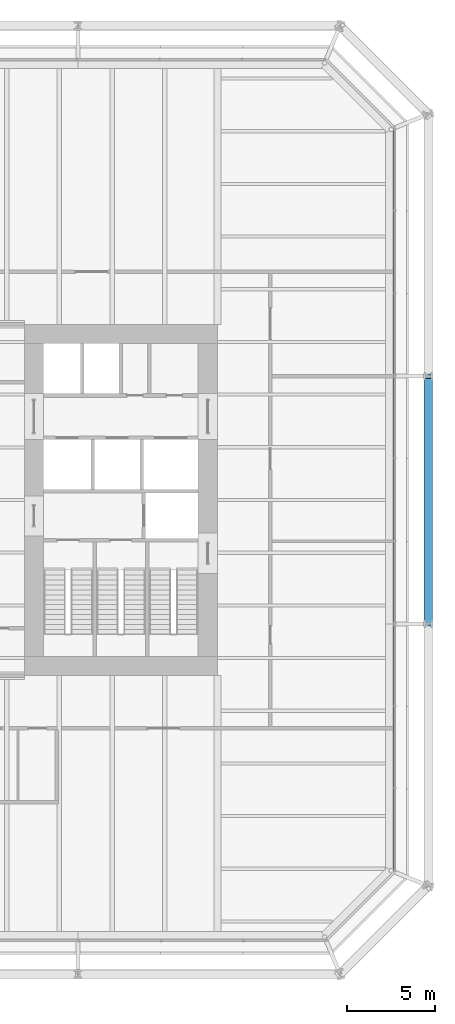
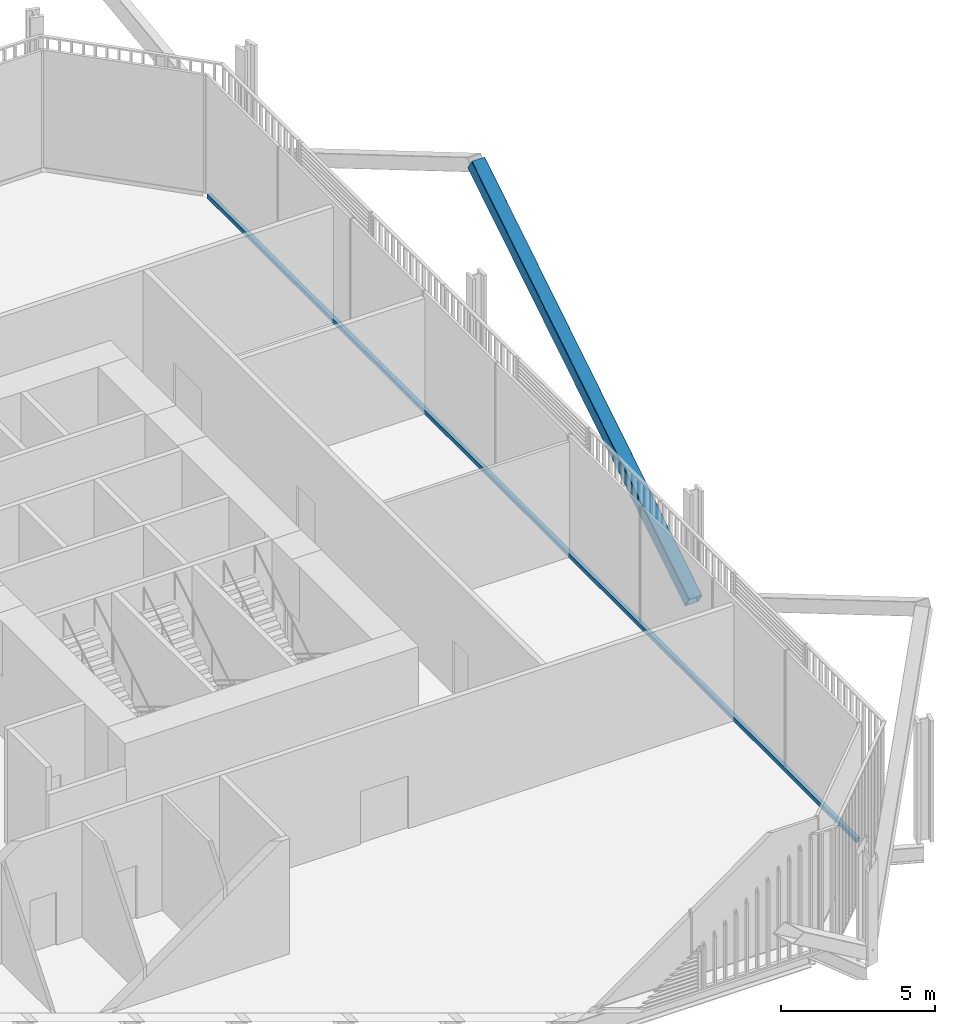
# One storey, part 10 of 22: 2 members, 1 element without a shape of its own.
"""IFC4 building model written with IfcOpenShell, lengths in metres."""

from ifc_helpers import new_model, si_unit, direction, frame, origin, origin_2d, place, context, subcontext, project, spatial, rectangle, hollow_rectangle, extrude, material, layer, layer_set, material_profile, profile_set, type_object, element, aggregate, save


model = new_model("IFC4")

# Units and contexts
model_context = context("Model", 3, precision=1e-05, world=origin(), true_north=direction((0.0, 1.0)))
body_context = subcontext(model_context, "Body", "Model", "MODEL_VIEW")
ifc_project = project(units=[si_unit("LENGTHUNIT", "METRE"), si_unit("AREAUNIT", "SQUARE_METRE"), si_unit("VOLUMEUNIT", "CUBIC_METRE"), si_unit("PLANEANGLEUNIT", "RADIAN"), si_unit("MASSUNIT", "GRAM", prefix="KILO")], contexts=[model_context])

# Site, building, storey
site_placement = place(None, origin())
site = spatial("IfcSite", under=ifc_project, at=site_placement, CompositionType="ELEMENT")
building_placement = place(site_placement, origin())
building = spatial("IfcBuilding", under=site, at=building_placement, Name="Millrace Tower", CompositionType="ELEMENT")
storey_placement = place(building_placement, frame((0.0, 0.0, 20.89990234375)))
storey = spatial("IfcBuildingStorey", under=building, at=storey_placement, Name="L05", CompositionType="ELEMENT", Elevation=20.89990234375)

# Curtain wall, member
ifc_material_1 = material(Name="Aluminium and glass", Category="aluminium")
ifc_layer = layer(ifc_material_1, 0.14990234375)
ifc_layer_set = layer_set([ifc_layer], Name="Aluminium and glass")
curtain_wall_type = type_object("IfcCurtainWallType", Name="CW-2 data hall insulated curtain wall", PredefinedType="NOTDEFINED", material=ifc_layer_set)
curtain_wall_placement = place(storey_placement, origin())
curtain_wall = element("IfcCurtainWall", 1, at=curtain_wall_placement, inside=storey, type_object=curtain_wall_type, Name="Curtain wall A-F04 L05", PredefinedType="NOTDEFINED")
ifc_material_2 = material(Name="Aluminium", Category="aluminium")
ifc_material_profile_1 = material_profile(ifc_material_2, rectangle(XDim=0.14990234375, YDim=0.159912109375, at=origin_2d()))
ifc_profile_set_1 = profile_set([ifc_material_profile_1], Name="Aluminium")
member_type_1 = type_object("IfcMemberType", Name="CW-2 data hall insulated curtain wall transom", PredefinedType="USERDEFINED", material=ifc_profile_set_1)
member_1_placement = place(storey_placement, frame((25.074951171875, -21.050048828125, 0.080078125), z_axis=(0.0, 1.0, 0.0), x_axis=(-1.0, 0.0, 0.0)))
member_1 = element("IfcMember", 2, at=member_1_placement, type_object=member_type_1, Name="CW2 transom A-F04.1", ObjectType="TRANSOM", PredefinedType="USERDEFINED", context=body_context, shape_type="SweptSolid", body=[
    extrude(rectangle(XDim=0.14990234375, YDim=0.159912109375, at=origin_2d()), origin(), (0.0, 0.0, 1.0), 42.10009765625),
])
aggregate(curtain_wall, [member_1])

# Member
ifc_material_3 = material(Name="Steel ASTM A500 Grade C", Category="steel")
ifc_material_profile_2 = material_profile(ifc_material_3, hollow_rectangle(XDim=0.508056640625, YDim=0.508056640625, WallThickness=0.022216796875, InnerFilletRadius=0.01123046875, OuterFilletRadius=0.033447265625, at=origin_2d()))
ifc_profile_set_2 = profile_set([ifc_material_profile_2], Name="Steel ASTM A500 Grade C")
member_type_2 = type_object("IfcMemberType", Name="Exoskeleton brace HSS20x20x7/8", PredefinedType="BRACE", material=ifc_profile_set_2)
member_2_placement = place(storey_placement, frame((27.0, -7.050048828125, 0.400146484375), z_axis=(0.0, 0.848336468551, 0.529457492276), x_axis=(-1.0, 0.0, 0.0)))
element("IfcMember", 3, at=member_2_placement, inside=storey, type_object=member_type_2, Name="BRC-A-L05-07", PredefinedType="BRACE", context=body_context, shape_type="SweptSolid", body=[
    extrude(hollow_rectangle(XDim=0.508056640625, YDim=0.508056640625, WallThickness=0.022216796875, InnerFilletRadius=0.01123046875, OuterFilletRadius=0.033447265625, at=origin_2d()), origin(), (0.0, 0.0, 1.0), 16.620849609375),
])

save(model, "model.ifc")
